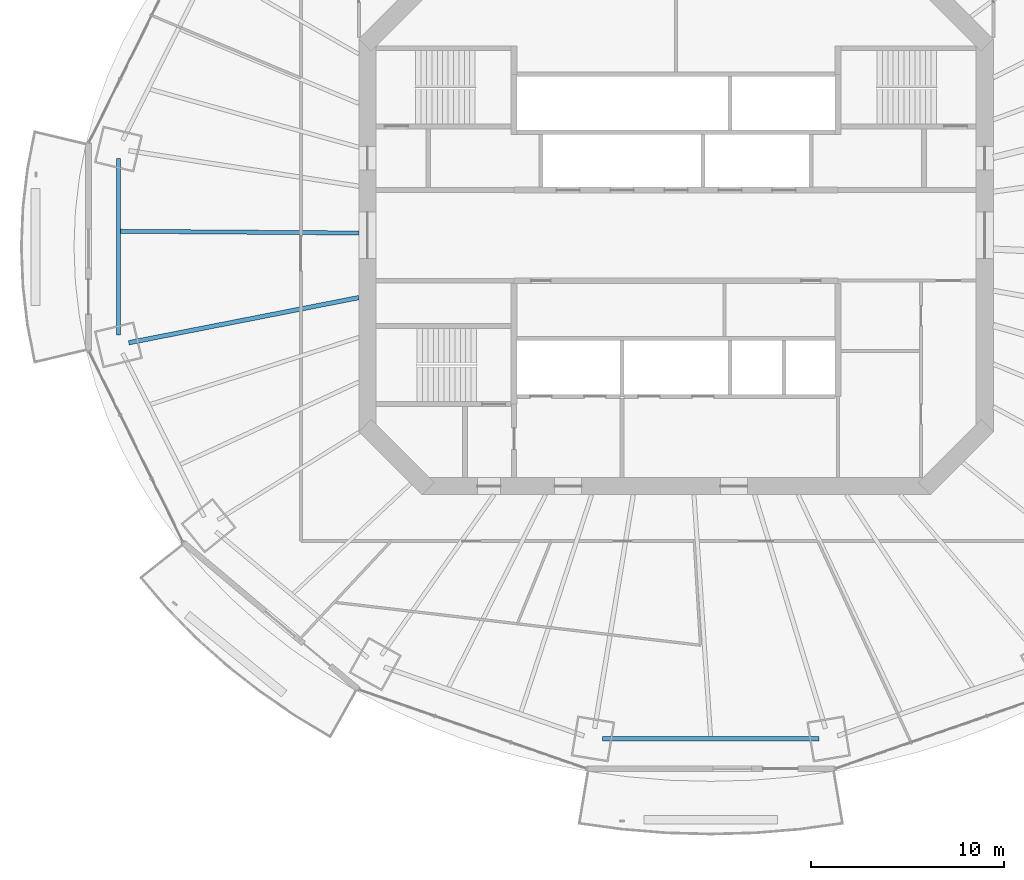
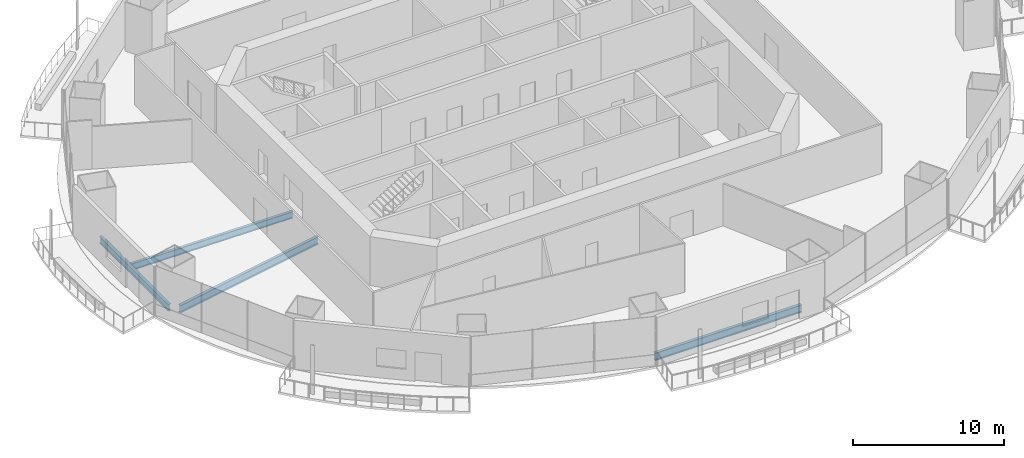
# One storey, part 3 of 21: 4 beams.
"""IFC4 building model written with IfcOpenShell, lengths in metres."""

from ifc_helpers import new_model, si_unit, direction, frame, origin, origin_2d, place, context, subcontext, project, spatial, i_section, extrude, material, material_profile, profile_set, type_object, element, save


model = new_model("IFC4")

# Units and contexts
model_context = context("Model", 3, precision=1e-05, world=origin(), true_north=direction((0.0, 1.0)))
body_context = subcontext(model_context, "Body", "Model", "MODEL_VIEW")
ifc_project = project(units=[si_unit("LENGTHUNIT", "METRE"), si_unit("AREAUNIT", "SQUARE_METRE"), si_unit("VOLUMEUNIT", "CUBIC_METRE"), si_unit("PLANEANGLEUNIT", "RADIAN"), si_unit("MASSUNIT", "GRAM", prefix="KILO")], contexts=[model_context])

# Site, building, storey
site_placement = place(None, origin())
site = spatial("IfcSite", under=ifc_project, at=site_placement, CompositionType="ELEMENT")
building_placement = place(site_placement, origin())
building = spatial("IfcBuilding", under=site, at=building_placement, Name="Marenthal Gate Tower", CompositionType="ELEMENT")
storey_placement = place(building_placement, frame((0.0, 0.0, 165.199951171875)))
storey = spatial("IfcBuildingStorey", under=building, at=storey_placement, Name="L35", CompositionType="ELEMENT", Elevation=165.199951171875)

# Beams
ifc_material_1 = material(Name="Steel S355", Category="steel")
ifc_material_profile_1 = material_profile(ifc_material_1, i_section(OverallWidth=0.2119140625, OverallDepth=0.5439453125, WebThickness=0.01318359375, FlangeThickness=0.021240234375, FilletRadius=0.0126953125, at=origin_2d()), Name="W530X123")
ifc_profile_set_1 = profile_set([ifc_material_profile_1], Name="Steel S355")
beam_type_1 = type_object("IfcBeamType", Name="W530X123 beam", PredefinedType="BEAM", material=ifc_profile_set_1)
beam_1_placement = place(storey_placement, frame((-28.811279296875, 0.211181640625, -0.451904296875), z_axis=(0.999973155818, -0.007327185195, 0.0), x_axis=(0.007327185195, 0.999973155818, 0.0)))
element("IfcBeam", 1, at=beam_1_placement, inside=storey, type_object=beam_type_1, Name="BM-L35-28", PredefinedType="BEAM", context=body_context, shape_type="SweptSolid", body=[
    extrude(i_section(OverallWidth=0.2119140625, OverallDepth=0.5439453125, WebThickness=0.01318359375, FlangeThickness=0.021240234375, FilletRadius=0.0126953125, at=origin_2d()), origin(), (0.0, 0.0, 1.0), 12.361572265625),
])
beam_2_placement = place(storey_placement, frame((-28.917236328125, 3.97216796875, -0.451904296875), z_axis=(0.0, -1.0, 0.0), x_axis=(1.0, 0.0, 0.0)))
element("IfcBeam", 2, at=beam_2_placement, inside=storey, type_object=beam_type_1, Name="BM-L35-48", PredefinedType="BEAM", context=body_context, shape_type="SweptSolid", body=[
    extrude(i_section(OverallWidth=0.2119140625, OverallDepth=0.5439453125, WebThickness=0.01318359375, FlangeThickness=0.021240234375, FilletRadius=0.0126953125, at=origin_2d()), origin(), (0.0, 0.0, 1.0), 9.144287109375),
])
ifc_material_2 = material(Name="Steel S355", Category="steel")
ifc_material_profile_2 = material_profile(ifc_material_2, i_section(OverallWidth=0.22900390625, OverallDepth=0.612060546875, WebThickness=0.011962890625, FlangeThickness=0.01953125, FilletRadius=0.0126953125, at=origin_2d()), Name="W610X125")
ifc_profile_set_2 = profile_set([ifc_material_profile_2], Name="Steel S355")
beam_type_2 = type_object("IfcBeamType", Name="W610X125 beam", PredefinedType="BEAM", material=ifc_profile_set_2)
beam_3_placement = place(storey_placement, frame((-28.376708984375, -5.568603515625, -0.48583984375), z_axis=(0.981282725396, 0.192572617055, 0.0), x_axis=(-0.192572617055, 0.981282725396, 0.0)))
element("IfcBeam", 3, at=beam_3_placement, inside=storey, type_object=beam_type_2, Name="BM-L35-09", PredefinedType="BEAM", context=body_context, shape_type="SweptSolid", body=[
    extrude(i_section(OverallWidth=0.22900390625, OverallDepth=0.612060546875, WebThickness=0.011962890625, FlangeThickness=0.01953125, FilletRadius=0.0126953125, at=origin_2d()), origin(), (0.0, 0.0, 1.0), 12.154296875),
])
beam_4_placement = place(storey_placement, frame((-3.82177734375, -26.1123046875, -0.48583984375), z_axis=(1.0, 0.0, 0.0), x_axis=(0.0, 1.0, 0.0)))
element("IfcBeam", 4, at=beam_4_placement, inside=storey, type_object=beam_type_2, Name="BM-L35-52", PredefinedType="BEAM", context=body_context, shape_type="SweptSolid", body=[
    extrude(i_section(OverallWidth=0.22900390625, OverallDepth=0.612060546875, WebThickness=0.011962890625, FlangeThickness=0.01953125, FilletRadius=0.0126953125, at=origin_2d()), origin(), (0.0, 0.0, 1.0), 11.24365234375),
])

save(model, "model.ifc")
